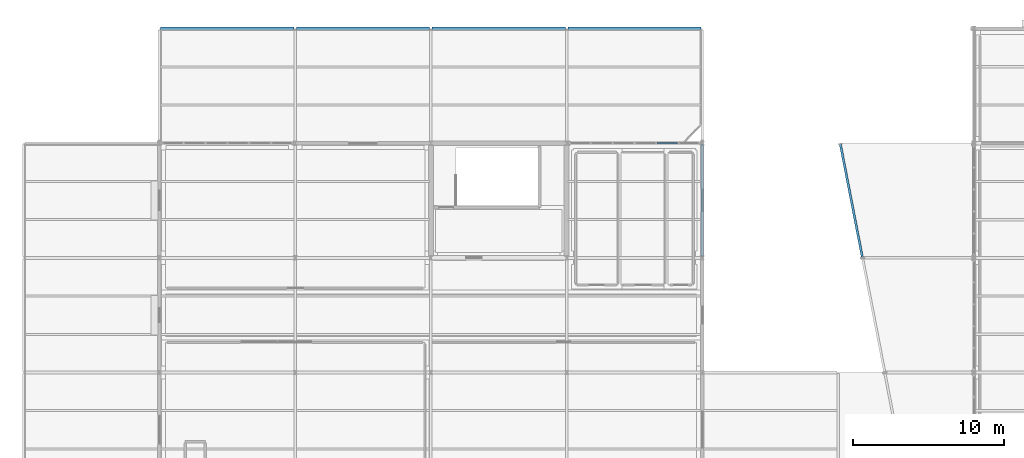
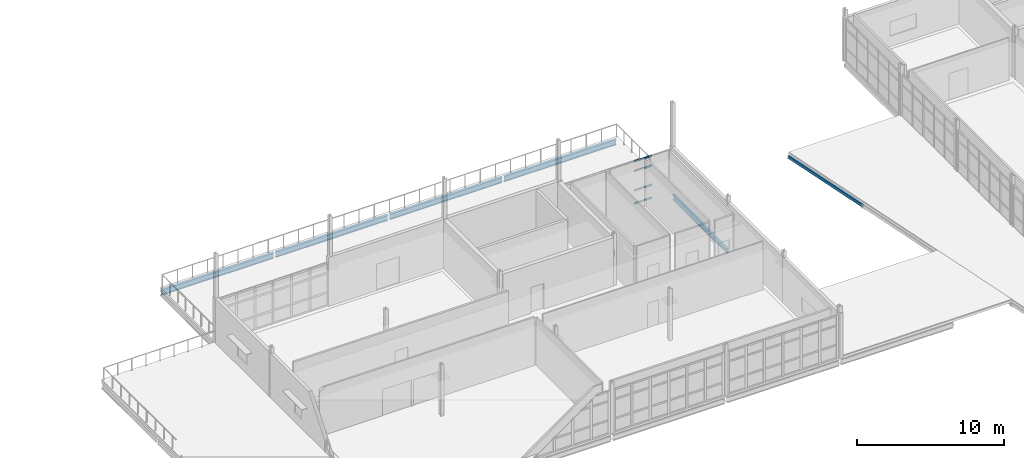
# One storey, part 50 of 96: 6 beams, 4 members, 1 element without a shape of its own.
"""IFC4 building model written with IfcOpenShell, lengths in metres."""

from ifc_helpers import new_model, si_unit, direction, frame, origin, origin_2d, place, context, subcontext, project, spatial, hollow_rectangle, i_section, extrude, material, material_profile, profile_set, type_object, element, aggregate, save


model = new_model("IFC4")

# Units and contexts
model_context = context("Model", 3, precision=1e-05, world=origin(), true_north=direction((0.0, 1.0)))
body_context = subcontext(model_context, "Body", "Model", "MODEL_VIEW")
ifc_project = project(units=[si_unit("LENGTHUNIT", "METRE"), si_unit("AREAUNIT", "SQUARE_METRE"), si_unit("VOLUMEUNIT", "CUBIC_METRE"), si_unit("PLANEANGLEUNIT", "RADIAN"), si_unit("MASSUNIT", "GRAM", prefix="KILO")], contexts=[model_context])

# Site, building, storey
site_placement = place(None, origin())
site = spatial("IfcSite", under=ifc_project, at=site_placement, CompositionType="ELEMENT")
building_placement = place(site_placement, origin())
building = spatial("IfcBuilding", under=site, at=building_placement, Name="Caisbarro Railhouse Central Library", CompositionType="ELEMENT")
storey_placement = place(building_placement, frame((0.0, 0.0, 13.679931640625)))
storey = spatial("IfcBuildingStorey", under=building, at=storey_placement, Name="L03", CompositionType="ELEMENT", Elevation=13.679931640625)

# Beams
ifc_material_1 = material(Name="Steel ASTM A572 Grade 50", Category="steel")
ifc_material_profile_1 = material_profile(ifc_material_1, i_section(OverallWidth=0.177978515625, OverallDepth=0.406982421875, WebThickness=0.0078125, FlangeThickness=0.0126953125, FilletRadius=0.01611328125, at=origin_2d()), Name="W410X60.0")
ifc_profile_set_1 = profile_set([ifc_material_profile_1], Name="Steel ASTM A572 Grade 50")
beam_type_1 = type_object("IfcBeamType", Name="BM-G10", PredefinedType="BEAM", material=ifc_profile_set_1)
beam_1_placement = place(storey_placement, frame((99.0, 98.8798828125, -0.4033203125), z_axis=(0.0, 1.0, 0.0), x_axis=(-1.0, 0.0, 0.0)))
element("IfcBeam", 1, at=beam_1_placement, inside=storey, type_object=beam_type_1, Name="G10 beam L03 #1992", PredefinedType="BEAM", context=body_context, shape_type="SweptSolid", body=[
    extrude(i_section(OverallWidth=0.177978515625, OverallDepth=0.406982421875, WebThickness=0.0078125, FlangeThickness=0.0126953125, FilletRadius=0.01611328125, at=origin_2d()), origin(), (0.0, 0.0, 1.0), 7.440185546875),
])
ifc_material_profile_2 = material_profile(ifc_material_1, i_section(OverallWidth=0.18994140625, OverallDepth=0.45703125, WebThickness=0.009033203125, FlangeThickness=0.014404296875, FilletRadius=0.01806640625, at=origin_2d()), Name="W460X74.0")
ifc_profile_set_2 = profile_set([ifc_material_profile_2], Name="Steel ASTM A572 Grade 50")
beam_type_2 = type_object("IfcBeamType", Name="BM-SP01", PredefinedType="SPANDREL", material=ifc_profile_set_2)
for number, where, z_axis, x_axis, name in (
    (2, (63.080078125, 114.0, -0.4384765625), (1.0, 0.0, 0.0), (0.0, 1.0, 0.0), "SP01 beam L03 #1949"),
    (3, (72.080078125, 114.0, -0.4384765625), (1.0, 0.0, 0.0), (0.0, 1.0, 0.0), "SP01 beam L03 #1950"),
    (4, (81.080078125, 114.0, -0.4384765625), (1.0, 0.0, 0.0), (0.0, 1.0, 0.0), "SP01 beam L03 #1951"),
    (5, (90.080078125, 114.0, -0.4384765625), (1.0, 0.0, 0.0), (0.0, 1.0, 0.0), "SP01 beam L03 #1952"),
):
    element("IfcBeam", number, at=place(storey_placement, frame(where, z_axis=z_axis, x_axis=x_axis)), inside=storey, type_object=beam_type_2, Name=name, PredefinedType="SPANDREL", context=body_context, shape_type="SweptSolid", body=[
        extrude(i_section(OverallWidth=0.18994140625, OverallDepth=0.45703125, WebThickness=0.009033203125, FlangeThickness=0.014404296875, FilletRadius=0.01806640625, at=origin_2d()), origin(), (0.0, 0.0, 1.0), 8.83984375),
    ])
ifc_material_profile_3 = material_profile(ifc_material_1, hollow_rectangle(XDim=0.14990234375, YDim=0.25, WallThickness=0.010009765625, at=origin_2d()), Name="HSS250X150X10")
ifc_profile_set_3 = profile_set([ifc_material_profile_3], Name="Steel ASTM A572 Grade 50")
beam_type_3 = type_object("IfcBeamType", Name="BM-SP03", PredefinedType="SPANDREL", material=ifc_profile_set_3)
beam_2_placement = place(storey_placement, frame((109.6044921875, 98.84912109375, -0.304931640625), z_axis=(-0.190909846889, 0.981607574523, 0.0), x_axis=(-0.981607574523, -0.190909846889, 0.0)))
element("IfcBeam", 6, at=beam_2_placement, inside=storey, type_object=beam_type_3, Name="SP03 beam L03 #2429", PredefinedType="SPANDREL", context=body_context, shape_type="SweptSolid", body=[
    extrude(hollow_rectangle(XDim=0.14990234375, YDim=0.25, WallThickness=0.010009765625, at=origin_2d()), origin(), (0.0, 0.0, 1.0), 7.642333984375),
])

# Curtain wall, members
ifc_material_2 = material(Name="Anodised architectural aluminium", Category="aluminium")
curtain_wall_type = type_object("IfcCurtainWallType", Name="CW-CW03", PredefinedType="NOTDEFINED", material=ifc_material_2)
curtain_wall_placement = place(storey_placement, origin())
curtain_wall = element("IfcCurtainWall", 7, at=curtain_wall_placement, inside=storey, type_object=curtain_wall_type, Name="CW03 curtain wall L03 #191", PredefinedType="NOTDEFINED")
ifc_material_profile_4 = material_profile(ifc_material_2, hollow_rectangle(XDim=0.074951171875, YDim=0.139892578125, WallThickness=0.00390625, at=origin_2d()), Name="ALU-TRN-75X140")
ifc_profile_set_4 = profile_set([ifc_material_profile_4], Name="Anodised architectural aluminium")
member_type = type_object("IfcMemberType", Name="CWT-T01", PredefinedType="USERDEFINED", material=ifc_profile_set_4)
member_1_placement = place(storey_placement, frame((95.979248046875, 106.39990234375, 0.03759765625), z_axis=(1.0, 0.0, 0.0), x_axis=(0.0, 1.0, 0.0)))
member_1 = element("IfcMember", 8, at=member_1_placement, type_object=member_type, Name="CW03 transom 5.1", ObjectType="TRANSOM", PredefinedType="USERDEFINED", context=body_context, shape_type="SweptSolid", body=[
    extrude(hollow_rectangle(XDim=0.074951171875, YDim=0.139892578125, WallThickness=0.00390625, at=origin_2d()), origin(), (0.0, 0.0, 1.0), 1.381591796875),
])
member_2_placement = place(storey_placement, frame((95.979248046875, 106.39990234375, 1.1201171875), z_axis=(1.0, 0.0, 0.0), x_axis=(0.0, 1.0, 0.0)))
member_2 = element("IfcMember", 9, at=member_2_placement, type_object=member_type, Name="CW03 transom 5.2", ObjectType="TRANSOM", PredefinedType="USERDEFINED", context=body_context, shape_type="SweptSolid", body=[
    extrude(hollow_rectangle(XDim=0.074951171875, YDim=0.139892578125, WallThickness=0.00390625, at=origin_2d()), origin(), (0.0, 0.0, 1.0), 1.381591796875),
])
member_3_placement = place(storey_placement, frame((95.979248046875, 106.39990234375, 2.72998046875), z_axis=(1.0, 0.0, 0.0), x_axis=(0.0, 1.0, 0.0)))
member_3 = element("IfcMember", 10, at=member_3_placement, type_object=member_type, Name="CW03 transom 5.3", ObjectType="TRANSOM", PredefinedType="USERDEFINED", context=body_context, shape_type="SweptSolid", body=[
    extrude(hollow_rectangle(XDim=0.074951171875, YDim=0.139892578125, WallThickness=0.00390625, at=origin_2d()), origin(), (0.0, 0.0, 1.0), 1.381591796875),
])
member_4_placement = place(storey_placement, frame((95.979248046875, 106.39990234375, 3.54248046875), z_axis=(1.0, 0.0, 0.0), x_axis=(0.0, 1.0, 0.0)))
member_4 = element("IfcMember", 11, at=member_4_placement, type_object=member_type, Name="CW03 transom 5.4", ObjectType="TRANSOM", PredefinedType="USERDEFINED", context=body_context, shape_type="SweptSolid", body=[
    extrude(hollow_rectangle(XDim=0.074951171875, YDim=0.139892578125, WallThickness=0.00390625, at=origin_2d()), origin(), (0.0, 0.0, 1.0), 1.381591796875),
])
aggregate(curtain_wall, [member_1, member_2, member_3, member_4])

save(model, "model.ifc")
